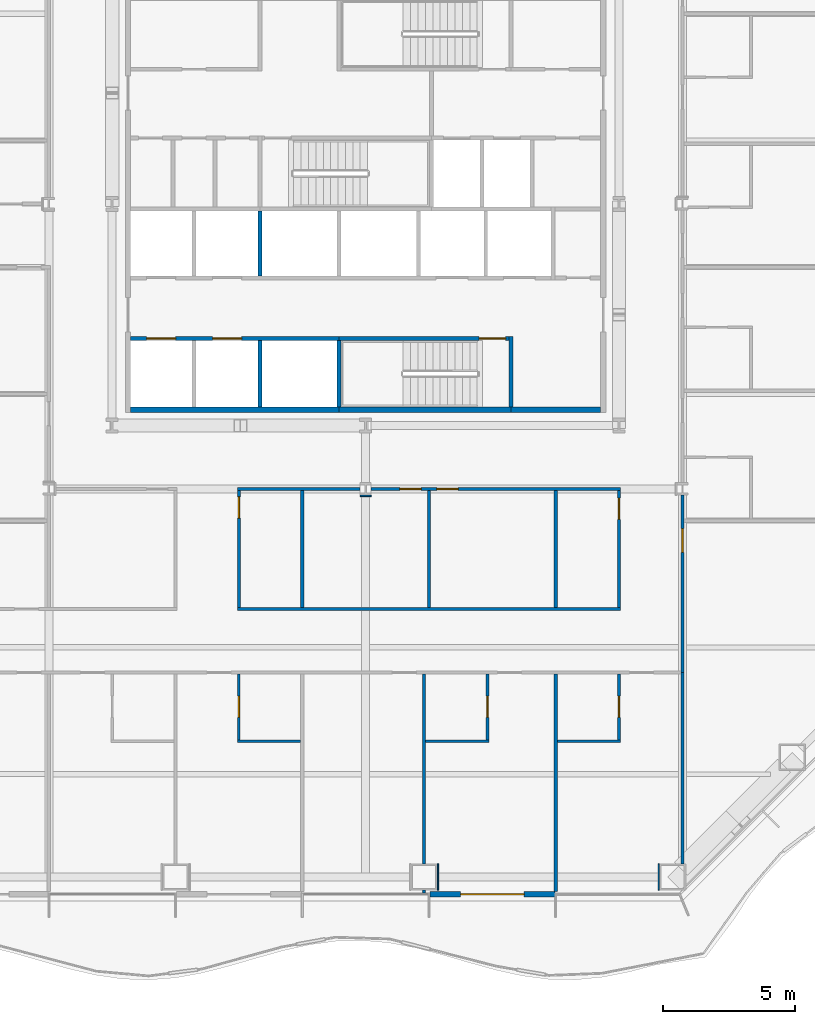
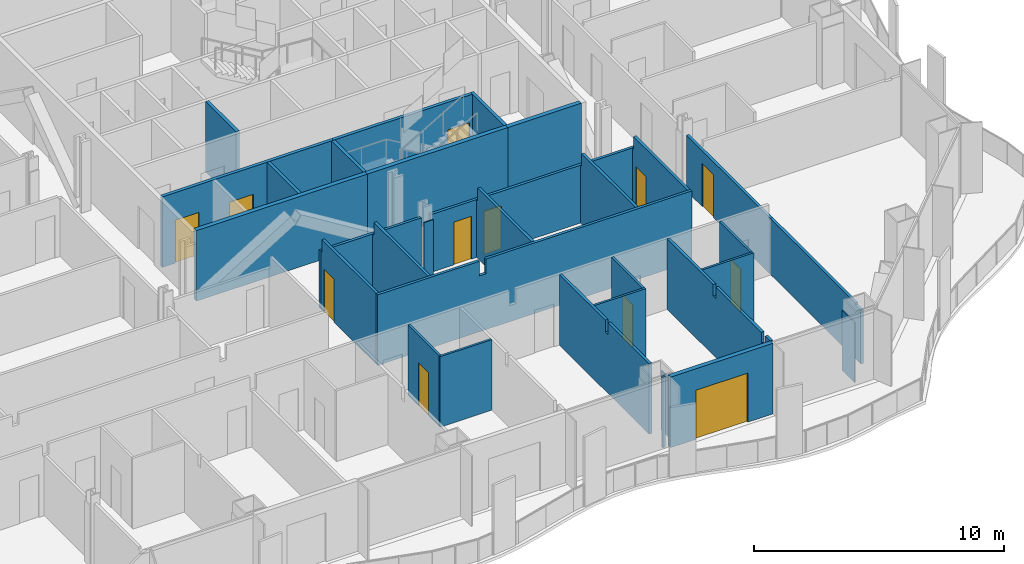
# One storey, part 9 of 21: 32 walls, 12 doors, 12 openings.
"""IFC4 building model written with IfcOpenShell, lengths in metres."""

from ifc_helpers import new_model, si_unit, direction, frame, frame_2d, origin, place, context, subcontext, project, spatial, polyline, rectangle, outline, extrude, material, layer, layer_set, type_object, element, fill, save


model = new_model("IFC4")

# Units and contexts
model_context = context("Model", 3, precision=1e-05, world=origin(), true_north=direction((0.0, 1.0)))
body_context = subcontext(model_context, "Body", "Model", "MODEL_VIEW")
ifc_project = project(units=[si_unit("LENGTHUNIT", "METRE"), si_unit("AREAUNIT", "SQUARE_METRE"), si_unit("VOLUMEUNIT", "CUBIC_METRE"), si_unit("PLANEANGLEUNIT", "RADIAN"), si_unit("MASSUNIT", "GRAM", prefix="KILO")], contexts=[model_context])

# Site, building, storey
site_placement = place(None, origin())
site = spatial("IfcSite", under=ifc_project, at=site_placement, CompositionType="ELEMENT")
building_placement = place(site_placement, origin())
building = spatial("IfcBuilding", under=site, at=building_placement, Name="Cairn Pilgrim Tower", CompositionType="ELEMENT")
storey_placement = place(building_placement, frame((0.0, 0.0, 47.39990234375)))
storey = spatial("IfcBuildingStorey", under=building, at=storey_placement, Name="L09", CompositionType="ELEMENT", Elevation=47.39990234375)

# Wall, opening, door
ifc_material_1 = material(Name="Bronze anodised aluminium insulated sandwich panel with mineral wool fill", Category="aluminium")
ifc_layer_1 = layer(ifc_material_1, 0.199951171875)
ifc_layer_set_1 = layer_set([ifc_layer_1], Name="BRONZE INFILL FRAME WALL 200")
wall_type_1 = type_object("IfcWallType", Name="BRONZE INFILL FRAME WALL 200", PredefinedType="NOTDEFINED", material=ifc_layer_set_1)
wall_1_placement = place(storey_placement, frame((9.6298828125, -23.75, 0.0), z_axis=(0.0, 0.0, 1.0), x_axis=(1.0, 0.0, 0.0)))
wall_1 = element("IfcWall", 1, at=wall_1_placement, inside=storey, type_object=wall_type_1, Name="Bronze infill frame wall IW-S7", PredefinedType="NOTDEFINED", context=body_context, shape_type="SweptSolid", body=[
    extrude(rectangle(XDim=4.740234375, YDim=0.199951171875, at=frame_2d((2.3701171875, 0.0))), origin(), (0.0, 0.0, 1.0), 3.4501953125),
])
opening_1_placement = place(wall_1_placement, frame((1.169921875, 0.0, 0.0)))
opening_1 = element("IfcOpeningElement", 2, at=opening_1_placement, cuts=wall_1, Name="Opening 0907B", PredefinedType="OPENING", context=body_context, shape_type="SweptSolid", body=[
    extrude(rectangle(XDim=2.39990234375, YDim=2.39990234375, at=frame_2d((1.199951171875, 1.199951171875))), frame((0.0, 0.10986328125, 0.0), z_axis=(0.0, -1.0, 0.0), x_axis=(1.0, 0.0, 0.0)), (0.0, 0.0, 1.0), 0.219970703125),
])
ifc_material_2 = material(Name="Bronze anodised aluminium frame with tinted low-E glass", Category="aluminium")
door_type_1 = type_object("IfcDoorType", Name="BALCONY SLIDING DOOR 2400x2400", OperationType="DOUBLE_DOOR_SLIDING", PredefinedType="DOOR", material=ifc_material_2)
door_1_placement = place(opening_1_placement, origin())
door_1 = element("IfcDoor", 3, at=door_1_placement, inside=storey, type_object=door_type_1, Name="Balcony sliding door 0907B", OperationType="SINGLE_SWING_LEFT", OverallHeight=2.39990234375, OverallWidth=2.39990234375, PredefinedType="DOOR", context=body_context, shape_type="SweptSolid", body=[
    extrude(rectangle(XDim=2.39990234375, YDim=2.39990234375, at=frame_2d((1.199951171875, 1.199951171875))), frame((0.0, 0.02490234375, 0.0), z_axis=(0.0, -1.0, 0.0), x_axis=(1.0, 0.0, 0.0)), (0.0, 0.0, 1.0), 0.050048828125),
])
fill(opening_1, door_1)

# Walls
ifc_material_3 = material(Name="Concrete C32/40", Category="concrete")
ifc_layer_2 = layer(ifc_material_3, 0.199951171875)
ifc_layer_set_2 = layer_set([ifc_layer_2], Name="CORE OUTER WALL 200 EI 120")
wall_type_2 = type_object("IfcWallType", Name="CORE OUTER WALL 200 EI 120", PredefinedType="SOLIDWALL", material=ifc_layer_set_2)
wall_2_placement = place(storey_placement, frame((-1.699951171875, -5.39990234375, 0.0), z_axis=(0.0, 0.0, 1.0), x_axis=(1.0, 0.0, 0.0)))
element("IfcWall", 4, at=wall_2_placement, inside=storey, type_object=wall_type_2, Name="CW:L09:H01-1", PredefinedType="SOLIDWALL", context=body_context, shape_type="SweptSolid", body=[
    extrude(rectangle(XDim=7.89990234375, YDim=0.199951171875, at=frame_2d((3.949951171875, 0.0))), origin(), (0.0, 0.0, 1.0), 3.4501953125),
])
wall_3_placement = place(storey_placement, frame((12.699951171875, -5.39990234375, 0.0), z_axis=(0.0, 0.0, 1.0), x_axis=(1.0, 0.0, 0.0)))
element("IfcWall", 5, at=wall_3_placement, inside=storey, type_object=wall_type_2, Name="CW:L09:H01-3", PredefinedType="SOLIDWALL", context=body_context, shape_type="SweptSolid", body=[
    extrude(rectangle(XDim=3.400146484375, YDim=0.199951171875, at=frame_2d((1.7001953125, 0.0))), origin(), (0.0, 0.0, 1.0), 3.4501953125),
])

# Wall, openings, doors
ifc_layer_3 = layer(ifc_material_3, 0.14990234375)
ifc_layer_set_3 = layer_set([ifc_layer_3], Name="CORE SHAFT WALL 150 EI 120")
wall_type_3 = type_object("IfcWallType", Name="CORE SHAFT WALL 150 EI 120", PredefinedType="SOLIDWALL", material=ifc_layer_set_3)
wall_4_placement = place(storey_placement, frame((-1.699951171875, -2.699951171875, 0.0), z_axis=(0.0, 0.0, 1.0), x_axis=(1.0, 0.0, 0.0)))
wall_4 = element("IfcWall", 6, at=wall_4_placement, inside=storey, type_object=wall_type_3, Name="CW:L09:H02-1", PredefinedType="SOLIDWALL", context=body_context, shape_type="SweptSolid", body=[
    extrude(rectangle(XDim=7.89990234375, YDim=0.14990234375, at=frame_2d((3.949951171875, 0.0))), origin(), (0.0, 0.0, 1.0), 3.4501953125),
])
opening_2_placement = place(wall_4_placement, frame((0.60009765625, 0.0, 0.0)))
opening_2 = element("IfcOpeningElement", 7, at=opening_2_placement, cuts=wall_4, Name="Opening LD-LR1", PredefinedType="OPENING", context=body_context, shape_type="SweptSolid", body=[
    extrude(rectangle(XDim=1.10009765625, YDim=2.10009765625, at=frame_2d((0.550048828125, 1.050048828125))), frame((0.0, 0.0849609375, 0.0), z_axis=(0.0, -1.0, 0.0), x_axis=(1.0, 0.0, 0.0)), (0.0, 0.0, 1.0), 0.169921875),
])
opening_3_placement = place(wall_4_placement, frame((3.10009765625, 0.0, 0.0)))
opening_3 = element("IfcOpeningElement", 8, at=opening_3_placement, cuts=wall_4, Name="Opening LD-LR2", PredefinedType="OPENING", context=body_context, shape_type="SweptSolid", body=[
    extrude(rectangle(XDim=1.10009765625, YDim=2.10009765625, at=frame_2d((0.550048828125, 1.050048828125))), frame((0.0, 0.0849609375, 0.0), z_axis=(0.0, -1.0, 0.0), x_axis=(1.0, 0.0, 0.0)), (0.0, 0.0, 1.0), 0.169921875),
])
ifc_material_4 = material(Name="Stainless steel", Category="steel")
door_type_2 = type_object("IfcDoorType", Name="LIFT LANDING DOOR 1100x2100", OperationType="DOUBLE_DOOR_SLIDING", PredefinedType="DOOR", material=ifc_material_4)
door_2_placement = place(opening_2_placement, origin())
door_2 = element("IfcDoor", 9, at=door_2_placement, inside=storey, type_object=door_type_2, Name="LANDING DOOR LR1", OperationType="DOUBLE_DOOR_SLIDING", OverallHeight=2.10009765625, OverallWidth=1.10009765625, PredefinedType="DOOR", context=body_context, shape_type="SweptSolid", body=[
    extrude(rectangle(XDim=1.10009765625, YDim=2.10009765625, at=frame_2d((0.550048828125, 1.050048828125))), frame((0.0, 0.02490234375, 0.0), z_axis=(0.0, -1.0, 0.0), x_axis=(1.0, 0.0, 0.0)), (0.0, 0.0, 1.0), 0.050048828125),
])
fill(opening_2, door_2)
door_3_placement = place(opening_3_placement, origin())
door_3 = element("IfcDoor", 10, at=door_3_placement, inside=storey, type_object=door_type_2, Name="LANDING DOOR LR2", OperationType="DOUBLE_DOOR_SLIDING", OverallHeight=2.10009765625, OverallWidth=1.10009765625, PredefinedType="DOOR", context=body_context, shape_type="SweptSolid", body=[
    extrude(rectangle(XDim=1.10009765625, YDim=2.10009765625, at=frame_2d((0.550048828125, 1.050048828125))), frame((0.0, 0.02490234375, 0.0), z_axis=(0.0, -1.0, 0.0), x_axis=(1.0, 0.0, 0.0)), (0.0, 0.0, 1.0), 0.050048828125),
])
fill(opening_3, door_3)

# Walls
wall_5_placement = place(storey_placement, frame((3.199951171875, -5.300048828125, 0.0), z_axis=(0.0, 0.0, 1.0), x_axis=(0.0, 1.0, 0.0)))
element("IfcWall", 11, at=wall_5_placement, inside=storey, type_object=wall_type_3, Name="CW:L09:V17", PredefinedType="SOLIDWALL", context=body_context, shape_type="SweptSolid", body=[
    extrude(rectangle(XDim=2.525146484375, YDim=0.14990234375, at=frame_2d((1.2626953125, 0.0))), origin(), (0.0, 0.0, 1.0), 3.4501953125),
])
wall_6_placement = place(storey_placement, frame((3.199951171875, -0.324951171875, 0.0), z_axis=(0.0, 0.0, 1.0), x_axis=(0.0, 1.0, 0.0)))
element("IfcWall", 12, at=wall_6_placement, inside=storey, type_object=wall_type_3, Name="CW:L09:V18", PredefinedType="SOLIDWALL", context=body_context, shape_type="SweptSolid", body=[
    extrude(rectangle(XDim=2.449951171875, YDim=0.14990234375, at=frame_2d((1.22509765625, 0.0))), origin(), (0.0, 0.0, 1.0), 3.4501953125),
])
ifc_material_5 = material(Name="Gypsum partition")
ifc_layer_4 = layer(ifc_material_5, 0.10009765625)
ifc_layer_set_4 = layer_set([ifc_layer_4], Name="PARTITION 100 DRYWALL")
wall_type_4 = type_object("IfcWallType", Name="PARTITION 100 DRYWALL", PredefinedType="PARTITIONING", material=ifc_layer_set_4)
wall_7_placement = place(storey_placement, frame((2.35009765625, -17.949951171875, 0.0), z_axis=(0.0, 0.0, 1.0), x_axis=(1.0, 0.0, 0.0)))
element("IfcWall", 13, at=wall_7_placement, inside=storey, type_object=wall_type_4, Name="PARTITION W015", PredefinedType="PARTITIONING", context=body_context, shape_type="SweptSolid", body=[
    extrude(rectangle(XDim=2.387451171875, YDim=0.10009765625, at=frame_2d((1.19384765625, 0.0))), origin(), (0.0, 0.0, 1.0), 3.4501953125),
])

# Wall, opening, door
wall_8_placement = place(storey_placement, frame((2.39990234375, -17.89990234375, 0.0), z_axis=(0.0, 0.0, 1.0), x_axis=(0.0, 1.0, 0.0)))
wall_8 = element("IfcWall", 14, at=wall_8_placement, inside=storey, type_object=wall_type_4, Name="PARTITION W016", PredefinedType="PARTITIONING", context=body_context, shape_type="SweptSolid", body=[
    extrude(rectangle(XDim=2.4873046875, YDim=0.10009765625, at=frame_2d((1.24365234375, 0.0))), origin(), (0.0, 0.0, 1.0), 3.4501953125),
])
opening_4_placement = place(wall_8_placement, frame((0.85009765625, 0.0, 0.0)))
opening_4 = element("IfcOpeningElement", 15, at=opening_4_placement, cuts=wall_8, Name="Opening 0905E", PredefinedType="OPENING", context=body_context, shape_type="SweptSolid", body=[
    extrude(rectangle(XDim=0.800048828125, YDim=2.10009765625, at=frame_2d((0.39990234375, 1.050048828125))), frame((0.0, 0.06005859375, 0.0), z_axis=(0.0, -1.0, 0.0), x_axis=(1.0, 0.0, 0.0)), (0.0, 0.0, 1.0), 0.1201171875),
])
ifc_material_6 = material(Name="Timber door leaf", Category="wood")
door_type_3 = type_object("IfcDoorType", Name="DOOR 800x2100", OperationType="NOTDEFINED", PredefinedType="DOOR", material=ifc_material_6)
door_4_placement = place(opening_4_placement, frame((0.800048828125, 0.0, 0.0), z_axis=(0.0, 0.0, 1.0), x_axis=(-1.0, 0.0, 0.0)))
door_4 = element("IfcDoor", 16, at=door_4_placement, inside=storey, type_object=door_type_3, Name="DOOR 0905E", OperationType="SINGLE_SWING_LEFT", OverallHeight=2.10009765625, OverallWidth=0.800048828125, PredefinedType="DOOR", context=body_context, shape_type="SweptSolid", body=[
    extrude(rectangle(XDim=0.800048828125, YDim=2.10009765625, at=frame_2d((0.39990234375, 1.050048828125))), frame((0.0, 0.02490234375, 0.0), z_axis=(0.0, -1.0, 0.0), x_axis=(1.0, 0.0, 0.0)), (0.0, 0.0, 1.0), 0.050048828125),
])
fill(opening_4, door_4)

# Wall
wall_9_placement = place(storey_placement, frame((9.4765625, -17.949951171875, 0.0), z_axis=(0.0, 0.0, 1.0), x_axis=(1.0, 0.0, 0.0)))
element("IfcWall", 17, at=wall_9_placement, inside=storey, type_object=wall_type_4, Name="PARTITION W017", PredefinedType="PARTITIONING", context=body_context, shape_type="SweptSolid", body=[
    extrude(rectangle(XDim=2.387451171875, YDim=0.10009765625, at=frame_2d((1.19384765625, 0.0))), origin(), (0.0, 0.0, 1.0), 3.4501953125),
])

# Wall, opening, door
wall_10_placement = place(storey_placement, frame((11.81396484375, -17.89990234375, 0.0), z_axis=(0.0, 0.0, 1.0), x_axis=(0.0, 1.0, 0.0)))
wall_10 = element("IfcWall", 18, at=wall_10_placement, inside=storey, type_object=wall_type_4, Name="PARTITION W018", PredefinedType="PARTITIONING", context=body_context, shape_type="SweptSolid", body=[
    extrude(rectangle(XDim=2.4873046875, YDim=0.10009765625, at=frame_2d((1.24365234375, 0.0))), origin(), (0.0, 0.0, 1.0), 3.4501953125),
])
opening_5_placement = place(wall_10_placement, frame((0.85009765625, 0.0, 0.0)))
opening_5 = element("IfcOpeningElement", 19, at=opening_5_placement, cuts=wall_10, Name="Opening 0907E", PredefinedType="OPENING", context=body_context, shape_type="SweptSolid", body=[
    extrude(rectangle(XDim=0.800048828125, YDim=2.10009765625, at=frame_2d((0.39990234375, 1.050048828125))), frame((0.0, 0.06005859375, 0.0), z_axis=(0.0, -1.0, 0.0), x_axis=(1.0, 0.0, 0.0)), (0.0, 0.0, 1.0), 0.1201171875),
])
door_5_placement = place(opening_5_placement, origin())
door_5 = element("IfcDoor", 20, at=door_5_placement, inside=storey, type_object=door_type_3, Name="DOOR 0907E", OperationType="SINGLE_SWING_RIGHT", OverallHeight=2.10009765625, OverallWidth=0.800048828125, PredefinedType="DOOR", context=body_context, shape_type="SweptSolid", body=[
    extrude(rectangle(XDim=0.800048828125, YDim=2.10009765625, at=frame_2d((0.39990234375, 1.050048828125))), frame((0.0, 0.02490234375, 0.0), z_axis=(0.0, -1.0, 0.0), x_axis=(1.0, 0.0, 0.0)), (0.0, 0.0, 1.0), 0.050048828125),
])
fill(opening_5, door_5)

# Wall
wall_11_placement = place(storey_placement, frame((14.46240234375, -17.949951171875, 0.0), z_axis=(0.0, 0.0, 1.0), x_axis=(1.0, 0.0, 0.0)))
element("IfcWall", 21, at=wall_11_placement, inside=storey, type_object=wall_type_4, Name="PARTITION W019", PredefinedType="PARTITIONING", context=body_context, shape_type="SweptSolid", body=[
    extrude(rectangle(XDim=2.3876953125, YDim=0.10009765625, at=frame_2d((1.19384765625, 0.0))), origin(), (0.0, 0.0, 1.0), 3.4501953125),
])

# Wall, opening, door
wall_12_placement = place(storey_placement, frame((16.800048828125, -17.89990234375, 0.0), z_axis=(0.0, 0.0, 1.0), x_axis=(0.0, 1.0, 0.0)))
wall_12 = element("IfcWall", 22, at=wall_12_placement, inside=storey, type_object=wall_type_4, Name="PARTITION W020", PredefinedType="PARTITIONING", context=body_context, shape_type="SweptSolid", body=[
    extrude(rectangle(XDim=2.4873046875, YDim=0.10009765625, at=frame_2d((1.24365234375, 0.0))), origin(), (0.0, 0.0, 1.0), 3.4501953125),
])
opening_6_placement = place(wall_12_placement, frame((0.85009765625, 0.0, 0.0)))
opening_6 = element("IfcOpeningElement", 23, at=opening_6_placement, cuts=wall_12, Name="Opening 0908E", PredefinedType="OPENING", context=body_context, shape_type="SweptSolid", body=[
    extrude(rectangle(XDim=0.800048828125, YDim=2.10009765625, at=frame_2d((0.39990234375, 1.050048828125))), frame((0.0, 0.06005859375, 0.0), z_axis=(0.0, -1.0, 0.0), x_axis=(1.0, 0.0, 0.0)), (0.0, 0.0, 1.0), 0.1201171875),
])
door_6_placement = place(opening_6_placement, origin())
door_6 = element("IfcDoor", 24, at=door_6_placement, inside=storey, type_object=door_type_3, Name="DOOR 0908E", OperationType="SINGLE_SWING_RIGHT", OverallHeight=2.10009765625, OverallWidth=0.800048828125, PredefinedType="DOOR", context=body_context, shape_type="SweptSolid", body=[
    extrude(rectangle(XDim=0.800048828125, YDim=2.10009765625, at=frame_2d((0.39990234375, 1.050048828125))), frame((0.0, 0.02490234375, 0.0), z_axis=(0.0, -1.0, 0.0), x_axis=(1.0, 0.0, 0.0)), (0.0, 0.0, 1.0), 0.050048828125),
])
fill(opening_6, door_6)

# Walls
ifc_layer_5 = layer(ifc_material_5, 0.125)
ifc_layer_set_5 = layer_set([ifc_layer_5], Name="PARTITION 125 DRYWALL EI 60")
wall_type_5 = type_object("IfcWallType", Name="PARTITION 125 DRYWALL EI 60", PredefinedType="PARTITIONING", material=ifc_layer_set_5)
wall_13_placement = place(storey_placement, frame((9.4140625, -23.702880859375, 0.0), z_axis=(0.0, 0.0, 1.0), x_axis=(0.0, 1.0, 0.0)))
element("IfcWall", 25, at=wall_13_placement, inside=storey, type_object=wall_type_5, Name="PARTITION W004", PredefinedType="PARTITIONING", context=body_context, shape_type="SweptSolid", body=[
    extrude(rectangle(XDim=0.102783203125, YDim=0.125, at=frame_2d((0.05126953125, 0.0))), origin(), (0.0, 0.0, 1.0), 3.4501953125),
])
wall_14_placement = place(storey_placement, frame((14.39990234375, -23.64990234375, 0.0), z_axis=(0.0, 0.0, 1.0), x_axis=(0.0, 1.0, 0.0)))
element("IfcWall", 26, at=wall_14_placement, inside=storey, type_object=wall_type_5, Name="PARTITION W005", PredefinedType="PARTITIONING", context=body_context, shape_type="SweptSolid", body=[
    extrude(outline(polyline([(0.0, 0.0), (8.2373046875, 0.0), (8.237548828125, 3.4501953125), (4.554931640625, 3.4501953125), (4.552978515625, 2.880126953125), (4.344970703125, 2.880126953125), (4.343017578125, 3.4501953125), (0.699951171875, 3.4501953125), (0.697998046875, 2.93017578125), (0.39990234375, 2.93017578125), (0.39794921875, 3.4501953125), (0.0, 3.4501953125), (0.0, 0.0)])), frame((0.0, 0.0625, 0.0), z_axis=(0.0, -1.0, 0.0), x_axis=(1.0, 0.0, 0.0)), (0.0, 0.0, 1.0), 0.125),
])
wall_15_placement = place(storey_placement, frame((9.4140625, -22.60009765625, 0.0), z_axis=(0.0, 0.0, 1.0), x_axis=(0.0, 1.0, 0.0)))
element("IfcWall", 27, at=wall_15_placement, inside=storey, type_object=wall_type_5, Name="PARTITION W008", PredefinedType="PARTITIONING", context=body_context, shape_type="SweptSolid", body=[
    extrude(outline(polyline([(0.0, 0.0), (7.1875, 0.0), (7.1875, 3.4501953125), (3.5048828125, 3.4501953125), (3.5029296875, 2.880126953125), (3.294921875, 2.880126953125), (3.29296875, 3.4501953125), (0.0, 3.4501953125), (0.0, 0.0)])), frame((0.0, 0.0625, 0.0), z_axis=(0.0, -1.0, 0.0), x_axis=(1.0, 0.0, 0.0)), (0.0, 0.0, 1.0), 0.125),
])
wall_16_placement = place(storey_placement, frame((19.199951171875, -22.60009765625, 0.0), z_axis=(0.0, 0.0, 1.0), x_axis=(0.0, 1.0, 0.0)))
element("IfcWall", 28, at=wall_16_placement, inside=storey, type_object=wall_type_5, Name="PARTITION W009", PredefinedType="PARTITIONING", context=body_context, shape_type="SweptSolid", body=[
    extrude(outline(polyline([(0.0, 0.0), (7.25, 0.0), (7.25, 2.72998046875), (0.430419921875, 2.72998046875), (0.42822265625, 2.630126953125), (0.0, 2.630126953125), (0.0, 0.0)])), frame((0.0, 0.0625, 0.0), z_axis=(0.0, -1.0, 0.0), x_axis=(1.0, 0.0, 0.0)), (0.0, 0.0, 1.0), 0.125),
])

# Wall, opening, door
wall_17_placement = place(storey_placement, frame((19.199951171875, -15.35009765625, 0.0), z_axis=(0.0, 0.0, 1.0), x_axis=(0.0, 1.0, 0.0)))
wall_17 = element("IfcWall", 29, at=wall_17_placement, inside=storey, type_object=wall_type_5, Name="PARTITION W024", PredefinedType="PARTITIONING", context=body_context, shape_type="SweptSolid", body=[
    extrude(rectangle(XDim=6.713134765625, YDim=0.125, at=frame_2d((3.3564453125, 0.0))), origin(), (0.0, 0.0, 1.0), 2.72998046875),
])
opening_7_placement = place(wall_17_placement, frame((4.550048828125, 0.0, 0.0)))
opening_7 = element("IfcOpeningElement", 30, at=opening_7_placement, cuts=wall_17, Name="Opening 0921", PredefinedType="OPENING", context=body_context, shape_type="SweptSolid", body=[
    extrude(rectangle(XDim=0.89990234375, YDim=2.10009765625, at=frame_2d((0.449951171875, 1.050048828125))), frame((0.0, 0.072509765625, 0.0), z_axis=(0.0, -1.0, 0.0), x_axis=(1.0, 0.0, 0.0)), (0.0, 0.0, 1.0), 0.14501953125),
])
ifc_material_7 = material(Name="Steel-faced fire door leaf", Category="steel")
door_type_4 = type_object("IfcDoorType", Name="FIRE DOOR 900x2100 FD30S", OperationType="NOTDEFINED", PredefinedType="DOOR", material=ifc_material_7)
door_7_placement = place(opening_7_placement, frame((0.89990234375, 0.0, 0.0), z_axis=(0.0, 0.0, 1.0), x_axis=(-1.0, 0.0, 0.0)))
door_7 = element("IfcDoor", 31, at=door_7_placement, inside=storey, type_object=door_type_4, Name="DOOR 0921", OperationType="SINGLE_SWING_RIGHT", OverallHeight=2.10009765625, OverallWidth=0.89990234375, PredefinedType="DOOR", context=body_context, shape_type="SweptSolid", body=[
    extrude(rectangle(XDim=0.89990234375, YDim=2.10009765625, at=frame_2d((0.449951171875, 1.050048828125))), frame((0.0, 0.02490234375, 0.0), z_axis=(0.0, -1.0, 0.0), x_axis=(1.0, 0.0, 0.0)), (0.0, 0.0, 1.0), 0.050048828125),
])
fill(opening_7, door_7)

# Wall
wall_18_placement = place(storey_placement, frame((2.33740234375, -12.949951171875, 0.0), z_axis=(0.0, 0.0, 1.0), x_axis=(1.0, 0.0, 0.0)))
element("IfcWall", 32, at=wall_18_placement, inside=storey, type_object=wall_type_5, Name="PARTITION W026", PredefinedType="PARTITIONING", context=body_context, shape_type="SweptSolid", body=[
    extrude(outline(polyline([(0.0, 0.0), (14.525146484375, 0.0), (14.52490234375, 3.4501953125), (5.012451171875, 3.4501953125), (5.010498046875, 2.72998046875), (4.71240234375, 2.72998046875), (4.71044921875, 3.4501953125), (0.0, 3.4501953125), (0.0, 0.0)])), frame((0.0, 0.0625, 0.0), z_axis=(0.0, -1.0, 0.0), x_axis=(1.0, 0.0, 0.0)), (0.0, 0.0, 1.0), 0.125),
])

# Wall, opening, door
wall_19_placement = place(storey_placement, frame((2.39990234375, -12.887451171875, 0.0), z_axis=(0.0, 0.0, 1.0), x_axis=(0.0, 1.0, 0.0)))
wall_19 = element("IfcWall", 33, at=wall_19_placement, inside=storey, type_object=wall_type_5, Name="PARTITION W031", PredefinedType="PARTITIONING", context=body_context, shape_type="SweptSolid", body=[
    extrude(outline(polyline([(0.0, 0.0), (4.425048828125, 0.0), (4.425048828125, 2.830078125), (4.33740234375, 2.830078125), (4.33544921875, 3.4501953125), (0.0, 3.4501953125), (0.0, 0.0)])), frame((0.0, 0.0625, 0.0), z_axis=(0.0, -1.0, 0.0), x_axis=(1.0, 0.0, 0.0)), (0.0, 0.0, 1.0), 0.125),
])
opening_8_placement = place(wall_19_placement, frame((3.387451171875, 0.0, 0.0)))
opening_8 = element("IfcOpeningElement", 34, at=opening_8_placement, cuts=wall_19, Name="Opening 0935", PredefinedType="OPENING", context=body_context, shape_type="SweptSolid", body=[
    extrude(rectangle(XDim=0.800048828125, YDim=2.10009765625, at=frame_2d((0.39990234375, 1.050048828125))), frame((0.0, 0.072509765625, 0.0), z_axis=(0.0, -1.0, 0.0), x_axis=(1.0, 0.0, 0.0)), (0.0, 0.0, 1.0), 0.14501953125),
])
door_type_5 = type_object("IfcDoorType", Name="FIRE DOOR 800x2100 FD30S", OperationType="NOTDEFINED", PredefinedType="DOOR", material=ifc_material_7)
door_8_placement = place(opening_8_placement, frame((0.800048828125, 0.0, 0.0), z_axis=(0.0, 0.0, 1.0), x_axis=(-1.0, 0.0, 0.0)))
door_8 = element("IfcDoor", 35, at=door_8_placement, inside=storey, type_object=door_type_5, Name="DOOR 0935", OperationType="SINGLE_SWING_RIGHT", OverallHeight=2.10009765625, OverallWidth=0.800048828125, PredefinedType="DOOR", context=body_context, shape_type="SweptSolid", body=[
    extrude(rectangle(XDim=0.800048828125, YDim=2.10009765625, at=frame_2d((0.39990234375, 1.050048828125))), frame((0.0, 0.02490234375, 0.0), z_axis=(0.0, -1.0, 0.0), x_axis=(1.0, 0.0, 0.0)), (0.0, 0.0, 1.0), 0.050048828125),
])
fill(opening_8, door_8)

# Walls
for number, where, z_axis, x_axis, name in (
    (36, (4.800048828125, -12.887451171875, 0.0), (0.0, 0.0, 1.0), (0.0, 1.0, 0.0), "PARTITION W032"),
    (37, (9.60009765625, -12.887451171875, 0.0), (0.0, 0.0, 1.0), (0.0, 1.0, 0.0), "PARTITION W033"),
    (38, (14.39990234375, -12.887451171875, 0.0), (0.0, 0.0, 1.0), (0.0, 1.0, 0.0), "PARTITION W034"),
):
    element("IfcWall", number, at=place(storey_placement, frame(where, z_axis=z_axis, x_axis=x_axis)), inside=storey, type_object=wall_type_5, Name=name, PredefinedType="PARTITIONING", context=body_context, shape_type="SweptSolid", body=[
        extrude(outline(polyline([(0.0, 0.0), (4.425048828125, 0.0), (4.425048828125, 2.830078125), (4.33740234375, 2.830078125), (4.33544921875, 3.4501953125), (0.0, 3.4501953125), (0.0, 0.0)])), frame((0.0, 0.0625, 0.0), z_axis=(0.0, -1.0, 0.0), x_axis=(1.0, 0.0, 0.0)), (0.0, 0.0, 1.0), 0.125),
    ])

# Wall, opening, door
wall_20_placement = place(storey_placement, frame((16.800048828125, -12.887451171875, 0.0), z_axis=(0.0, 0.0, 1.0), x_axis=(0.0, 1.0, 0.0)))
wall_20 = element("IfcWall", 39, at=wall_20_placement, inside=storey, type_object=wall_type_5, Name="PARTITION W035", PredefinedType="PARTITIONING", context=body_context, shape_type="SweptSolid", body=[
    extrude(outline(polyline([(0.0, 0.0), (4.425048828125, 0.0), (4.425048828125, 2.830078125), (4.33740234375, 2.830078125), (4.33544921875, 3.4501953125), (0.0, 3.4501953125), (0.0, 0.0)])), frame((0.0, 0.0625, 0.0), z_axis=(0.0, -1.0, 0.0), x_axis=(1.0, 0.0, 0.0)), (0.0, 0.0, 1.0), 0.125),
])
opening_9_placement = place(wall_20_placement, frame((3.33740234375, 0.0, 0.0)))
opening_9 = element("IfcOpeningElement", 40, at=opening_9_placement, cuts=wall_20, Name="Opening 0938", PredefinedType="OPENING", context=body_context, shape_type="SweptSolid", body=[
    extrude(rectangle(XDim=0.800048828125, YDim=2.10009765625, at=frame_2d((0.39990234375, 1.050048828125))), frame((0.0, 0.072509765625, 0.0), z_axis=(0.0, -1.0, 0.0), x_axis=(1.0, 0.0, 0.0)), (0.0, 0.0, 1.0), 0.14501953125),
])
door_9_placement = place(opening_9_placement, origin())
door_9 = element("IfcDoor", 41, at=door_9_placement, inside=storey, type_object=door_type_5, Name="DOOR 0938", OperationType="SINGLE_SWING_LEFT", OverallHeight=2.10009765625, OverallWidth=0.800048828125, PredefinedType="DOOR", context=body_context, shape_type="SweptSolid", body=[
    extrude(rectangle(XDim=0.800048828125, YDim=2.10009765625, at=frame_2d((0.39990234375, 1.050048828125))), frame((0.0, 0.02490234375, 0.0), z_axis=(0.0, -1.0, 0.0), x_axis=(1.0, 0.0, 0.0)), (0.0, 0.0, 1.0), 0.050048828125),
])
fill(opening_9, door_9)

# Wall
wall_21_placement = place(storey_placement, frame((2.33740234375, -8.39990234375, 0.0), z_axis=(0.0, 0.0, 1.0), x_axis=(1.0, 0.0, 0.0)))
element("IfcWall", 42, at=wall_21_placement, inside=storey, type_object=wall_type_5, Name="PARTITION W041", PredefinedType="PARTITIONING", context=body_context, shape_type="SweptSolid", body=[
    extrude(rectangle(XDim=4.650634765625, YDim=0.125, at=frame_2d((2.3251953125, 0.0))), origin(), (0.0, 0.0, 1.0), 2.830078125),
])

# Wall, openings, doors
wall_22_placement = place(storey_placement, frame((7.412109375, -8.39990234375, 0.0), z_axis=(0.0, 0.0, 1.0), x_axis=(1.0, 0.0, 0.0)))
wall_22 = element("IfcWall", 43, at=wall_22_placement, inside=storey, type_object=wall_type_5, Name="PARTITION W042", PredefinedType="PARTITIONING", context=body_context, shape_type="SweptSolid", body=[
    extrude(rectangle(XDim=9.450439453125, YDim=0.125, at=frame_2d((4.72509765625, 0.0))), origin(), (0.0, 0.0, 1.0), 2.830078125),
])
opening_10_placement = place(wall_22_placement, frame((1.087890625, 0.0, 0.0)))
opening_10 = element("IfcOpeningElement", 44, at=opening_10_placement, cuts=wall_22, Name="Opening 0936", PredefinedType="OPENING", context=body_context, shape_type="SweptSolid", body=[
    extrude(rectangle(XDim=0.800048828125, YDim=2.10009765625, at=frame_2d((0.39990234375, 1.050048828125))), frame((0.0, 0.072509765625, 0.0), z_axis=(0.0, -1.0, 0.0), x_axis=(1.0, 0.0, 0.0)), (0.0, 0.0, 1.0), 0.14501953125),
])
opening_11_placement = place(wall_22_placement, frame((2.488037109375, 0.0, 0.0)))
opening_11 = element("IfcOpeningElement", 45, at=opening_11_placement, cuts=wall_22, Name="Opening 0937", PredefinedType="OPENING", context=body_context, shape_type="SweptSolid", body=[
    extrude(rectangle(XDim=0.800048828125, YDim=2.10009765625, at=frame_2d((0.39990234375, 1.050048828125))), frame((0.0, 0.072509765625, 0.0), z_axis=(0.0, -1.0, 0.0), x_axis=(1.0, 0.0, 0.0)), (0.0, 0.0, 1.0), 0.14501953125),
])
door_10_placement = place(opening_10_placement, frame((0.800048828125, 0.0, 0.0), z_axis=(0.0, 0.0, 1.0), x_axis=(-1.0, 0.0, 0.0)))
door_10 = element("IfcDoor", 46, at=door_10_placement, inside=storey, type_object=door_type_5, Name="DOOR 0936", OperationType="SINGLE_SWING_LEFT", OverallHeight=2.10009765625, OverallWidth=0.800048828125, PredefinedType="DOOR", context=body_context, shape_type="SweptSolid", body=[
    extrude(rectangle(XDim=0.800048828125, YDim=2.10009765625, at=frame_2d((0.39990234375, 1.050048828125))), frame((0.0, 0.02490234375, 0.0), z_axis=(0.0, -1.0, 0.0), x_axis=(1.0, 0.0, 0.0)), (0.0, 0.0, 1.0), 0.050048828125),
])
fill(opening_10, door_10)
door_11_placement = place(opening_11_placement, frame((0.800048828125, 0.0, 0.0), z_axis=(0.0, 0.0, 1.0), x_axis=(-1.0, 0.0, 0.0)))
door_11 = element("IfcDoor", 47, at=door_11_placement, inside=storey, type_object=door_type_5, Name="DOOR 0937", OperationType="SINGLE_SWING_RIGHT", OverallHeight=2.10009765625, OverallWidth=0.800048828125, PredefinedType="DOOR", context=body_context, shape_type="SweptSolid", body=[
    extrude(rectangle(XDim=0.800048828125, YDim=2.10009765625, at=frame_2d((0.39990234375, 1.050048828125))), frame((0.0, 0.02490234375, 0.0), z_axis=(0.0, -1.0, 0.0), x_axis=(1.0, 0.0, 0.0)), (0.0, 0.0, 1.0), 0.050048828125),
])
fill(opening_11, door_11)

# Walls
ifc_layer_6 = layer(ifc_material_5, 0.050048828125)
ifc_layer_set_6 = layer_set([ifc_layer_6], Name="PARTITION 50 DRYWALL EI 60")
wall_type_6 = type_object("IfcWallType", Name="PARTITION 50 DRYWALL EI 60", PredefinedType="PARTITIONING", material=ifc_layer_set_6)
for number, where, z_axis, x_axis, name in (
    (48, (9.938720703125, -23.60009765625, 0.0), (0.0, 0.0, 1.0), (0.0, 1.0, 0.0), "COLUMN CASING WC05"),
    (49, (18.30224609375, -23.60009765625, 0.0), (0.0, 0.0, 1.0), (0.0, 1.0, 0.0), "COLUMN CASING WC08"),
):
    element("IfcWall", number, at=place(storey_placement, frame(where, z_axis=z_axis, x_axis=x_axis)), inside=storey, type_object=wall_type_6, Name=name, PredefinedType="PARTITIONING", context=body_context, shape_type="SweptSolid", body=[
        extrude(rectangle(XDim=1.0, YDim=0.050048828125, at=frame_2d((0.5, 0.0))), origin(), (0.0, 0.0, 1.0), 2.93017578125),
    ])
wall_23_placement = place(storey_placement, frame((6.988037109375, -8.662109375, 0.0), z_axis=(0.0, 0.0, 1.0), x_axis=(1.0, 0.0, 0.0)))
element("IfcWall", 50, at=wall_23_placement, inside=storey, type_object=wall_type_6, Name="COLUMN CASING WC17", PredefinedType="PARTITIONING", context=body_context, shape_type="SweptSolid", body=[
    extrude(rectangle(XDim=0.424072265625, YDim=0.050048828125, at=frame_2d((0.2119140625, 0.0))), origin(), (0.0, 0.0, 1.0), 2.72998046875),
])

# Wall, opening, door
ifc_material_8 = material(Name="Concrete C35/45", Category="concrete")
ifc_layer_7 = layer(ifc_material_8, 0.14990234375)
ifc_layer_set_7 = layer_set([ifc_layer_7], Name="STAIR SHAFT WALL 150 EI 120")
wall_type_7 = type_object("IfcWallType", Name="STAIR SHAFT WALL 150 EI 120", PredefinedType="SOLIDWALL", material=ifc_layer_set_7)
wall_24_placement = place(storey_placement, frame((6.199951171875, -2.699951171875, 0.0), z_axis=(0.0, 0.0, 1.0), x_axis=(1.0, 0.0, 0.0)))
wall_24 = element("IfcWall", 51, at=wall_24_placement, inside=storey, type_object=wall_type_7, Name="CW:L09:H02-2", PredefinedType="SOLIDWALL", context=body_context, shape_type="SweptSolid", body=[
    extrude(rectangle(XDim=6.425048828125, YDim=0.14990234375, at=frame_2d((3.21240234375, 0.0))), origin(), (0.0, 0.0, 1.0), 3.4501953125),
])
opening_12_placement = place(wall_24_placement, frame((5.300048828125, 0.0, 0.0)))
opening_12 = element("IfcOpeningElement", 52, at=opening_12_placement, cuts=wall_24, Name="Opening SD-A", PredefinedType="OPENING", context=body_context, shape_type="SweptSolid", body=[
    extrude(rectangle(XDim=1.0, YDim=2.10009765625, at=frame_2d((0.5, 1.050048828125))), frame((0.0, 0.0849609375, 0.0), z_axis=(0.0, -1.0, 0.0), x_axis=(1.0, 0.0, 0.0)), (0.0, 0.0, 1.0), 0.169921875),
])
ifc_material_9 = material(Name="Painted steel", Category="steel")
door_type_6 = type_object("IfcDoorType", Name="STAIR DOOR FD60S 1000x2100", OperationType="SINGLE_SWING_LEFT", PredefinedType="DOOR", material=ifc_material_9)
door_12_placement = place(opening_12_placement, origin())
door_12 = element("IfcDoor", 53, at=door_12_placement, inside=storey, type_object=door_type_6, Name="SD-A", OperationType="SINGLE_SWING_RIGHT", OverallHeight=2.10009765625, OverallWidth=1.0, PredefinedType="DOOR", context=body_context, shape_type="SweptSolid", body=[
    extrude(rectangle(XDim=1.0, YDim=2.10009765625, at=frame_2d((0.5, 1.050048828125))), frame((0.0, 0.02490234375, 0.0), z_axis=(0.0, -1.0, 0.0), x_axis=(1.0, 0.0, 0.0)), (0.0, 0.0, 1.0), 0.050048828125),
])
fill(opening_12, door_12)

# Walls
wall_25_placement = place(storey_placement, frame((6.199951171875, -5.300048828125, 0.0), z_axis=(0.0, 0.0, 1.0), x_axis=(0.0, 1.0, 0.0)))
element("IfcWall", 54, at=wall_25_placement, inside=storey, type_object=wall_type_7, Name="CW:L09:V21", PredefinedType="SOLIDWALL", context=body_context, shape_type="SweptSolid", body=[
    extrude(rectangle(XDim=2.525146484375, YDim=0.14990234375, at=frame_2d((1.2626953125, 0.0))), origin(), (0.0, 0.0, 1.0), 3.4501953125),
])
wall_26_placement = place(storey_placement, frame((12.699951171875, -5.300048828125, 0.0), z_axis=(0.0, 0.0, 1.0), x_axis=(0.0, 1.0, 0.0)))
element("IfcWall", 55, at=wall_26_placement, inside=storey, type_object=wall_type_7, Name="CW:L09:V29", PredefinedType="SOLIDWALL", context=body_context, shape_type="SweptSolid", body=[
    extrude(rectangle(XDim=2.675048828125, YDim=0.14990234375, at=frame_2d((1.33740234375, 0.0))), origin(), (0.0, 0.0, 1.0), 3.4501953125),
])
ifc_layer_8 = layer(ifc_material_8, 0.199951171875)
ifc_layer_set_8 = layer_set([ifc_layer_8], Name="STAIR SHAFT WALL 200 EI 120")
wall_type_8 = type_object("IfcWallType", Name="STAIR SHAFT WALL 200 EI 120", PredefinedType="SOLIDWALL", material=ifc_layer_set_8)
wall_27_placement = place(storey_placement, frame((6.199951171875, -5.39990234375, 0.0), z_axis=(0.0, 0.0, 1.0), x_axis=(1.0, 0.0, 0.0)))
element("IfcWall", 56, at=wall_27_placement, inside=storey, type_object=wall_type_8, Name="CW:L09:H01-2", PredefinedType="SOLIDWALL", context=body_context, shape_type="SweptSolid", body=[
    extrude(rectangle(XDim=6.5, YDim=0.199951171875, at=frame_2d((3.25, 0.0))), origin(), (0.0, 0.0, 1.0), 3.4501953125),
])

save(model, "model.ifc")
